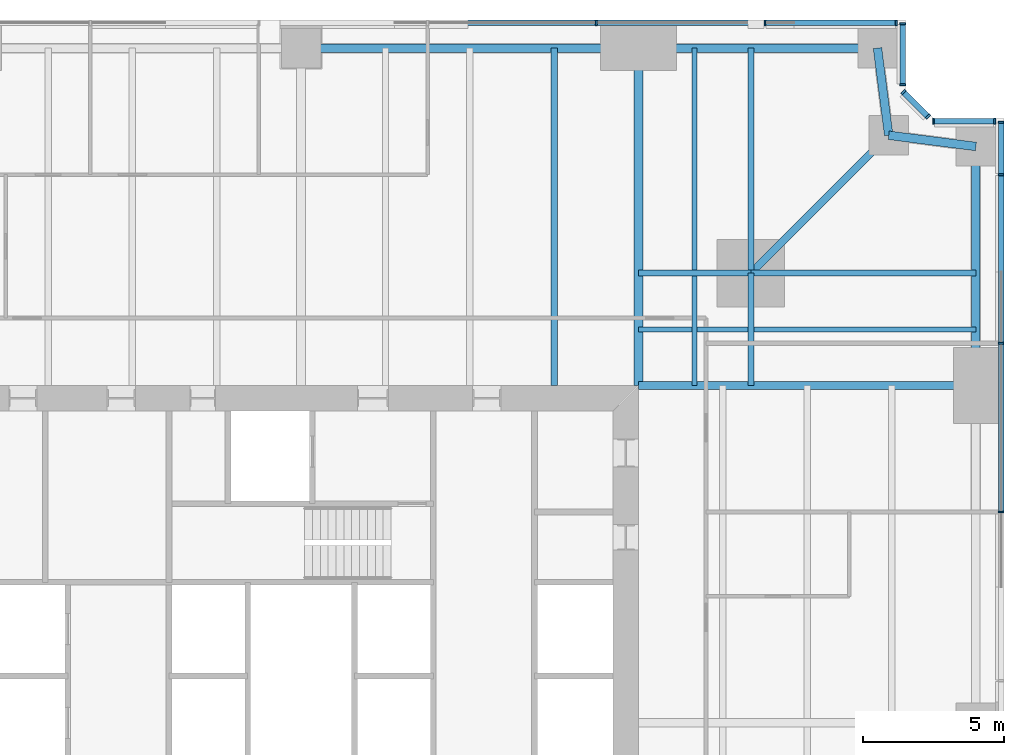
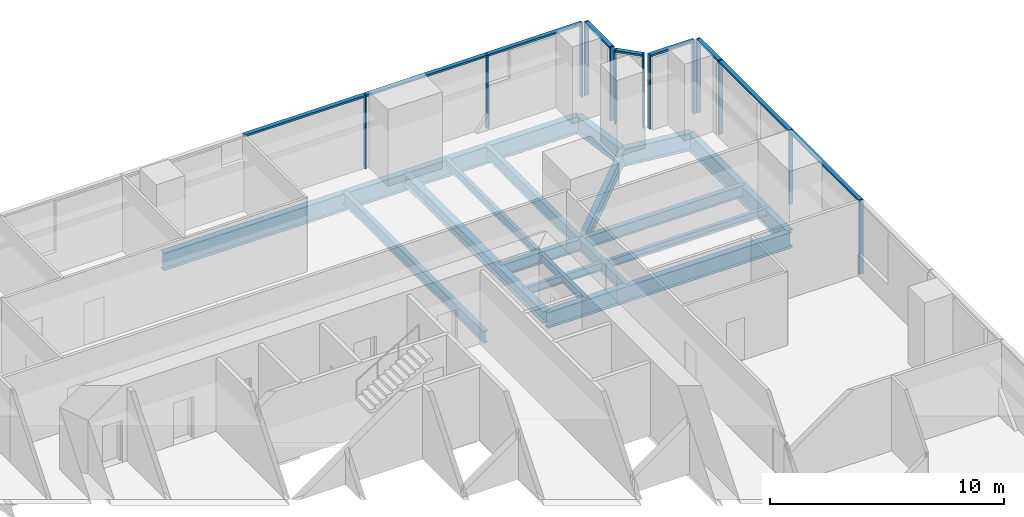
# One storey, part 7 of 13: 22 members, 18 beams, 5 elements without a shape of their own.
"""IFC4 building model written with IfcOpenShell, lengths in metres."""

from ifc_helpers import new_model, si_unit, direction, frame, origin, origin_2d, place, context, subcontext, project, spatial, rectangle, i_section, extrude, material, material_profile, profile_set, type_object, element, aggregate, save


model = new_model("IFC4")

# Units and contexts
model_context = context("Model", 3, precision=1e-05, world=origin(), true_north=direction((0.0, 1.0)))
body_context = subcontext(model_context, "Body", "Model", "MODEL_VIEW")
ifc_project = project(units=[si_unit("LENGTHUNIT", "METRE"), si_unit("AREAUNIT", "SQUARE_METRE"), si_unit("VOLUMEUNIT", "CUBIC_METRE"), si_unit("PLANEANGLEUNIT", "RADIAN"), si_unit("MASSUNIT", "GRAM", prefix="KILO")], contexts=[model_context])

# Site, building, storey
site_placement = place(None, origin())
site = spatial("IfcSite", under=ifc_project, at=site_placement, CompositionType="ELEMENT")
building_placement = place(site_placement, origin())
building = spatial("IfcBuilding", under=site, at=building_placement, Name="Fenwick Lantern Interchange", CompositionType="ELEMENT")
storey_placement = place(building_placement, frame((0.0, 0.0, 63.0)))
storey = spatial("IfcBuildingStorey", under=building, at=storey_placement, Name="L14", CompositionType="ELEMENT", Elevation=63.0)

# Beams
ifc_material_1 = material(Name="Steel ASTM A992 Grade 50", Category="steel")
ifc_material_profile_1 = material_profile(ifc_material_1, i_section(OverallWidth=0.3046875, OverallDepth=0.911865234375, WebThickness=0.015869140625, FlangeThickness=0.02392578125, at=origin_2d()), Name="W36X150")
ifc_profile_set_1 = profile_set([ifc_material_profile_1], Name="Steel ASTM A992 Grade 50")
beam_type_1 = type_object("IfcBeamType", Name="EDGE BEAM W36X150", PredefinedType="SPANDREL", material=ifc_profile_set_1)
beam_1_placement = place(storey_placement, frame((49.0, 37.0, -0.60595703125), z_axis=(0.0, 1.0, 0.0), x_axis=(-1.0, 0.0, 0.0)))
element("IfcBeam", 1, at=beam_1_placement, inside=storey, type_object=beam_type_1, Name="L14/FR/E/EB4", PredefinedType="SPANDREL", context=body_context, shape_type="SweptSolid", body=[
    extrude(i_section(OverallWidth=0.3046875, OverallDepth=0.911865234375, WebThickness=0.015869140625, FlangeThickness=0.02392578125, at=origin_2d()), origin(), (0.0, 0.0, 1.0), 8.5),
])
for number, where, z_axis, x_axis, name in (
    (2, (49.0, 45.5, -0.60595703125), (-0.991782342897, 0.127936641807, 0.0), (-0.127936641807, -0.991782342897, 0.0), "L14/FR/E/EBR1"),
    (3, (45.89990234375, 45.89990234375, -0.60595703125), (-0.127936641807, 0.991782342897, 0.0), (-0.991782342897, -0.127936641807, 0.0), "L14/FR/E/EBR2"),
):
    element("IfcBeam", number, at=place(storey_placement, frame(where, z_axis=z_axis, x_axis=x_axis)), inside=storey, type_object=beam_type_1, Name=name, PredefinedType="SPANDREL", context=body_context, shape_type="SweptSolid", body=[
        extrude(i_section(OverallWidth=0.3046875, OverallDepth=0.911865234375, WebThickness=0.015869140625, FlangeThickness=0.02392578125, at=origin_2d()), origin(), (0.0, 0.0, 1.0), 3.125732421875),
    ])
beam_2_placement = place(storey_placement, frame((45.5, 49.0, -0.60595703125), z_axis=(-1.0, 0.0, 0.0), x_axis=(0.0, -1.0, 0.0)))
element("IfcBeam", 4, at=beam_2_placement, inside=storey, type_object=beam_type_1, Name="L14/FR/N/EB1", PredefinedType="SPANDREL", context=body_context, shape_type="SweptSolid", body=[
    extrude(i_section(OverallWidth=0.3046875, OverallDepth=0.911865234375, WebThickness=0.015869140625, FlangeThickness=0.02392578125, at=origin_2d()), origin(), (0.0, 0.0, 1.0), 8.5),
])
beam_3_placement = place(storey_placement, frame((37.0, 49.0, -0.60595703125), z_axis=(-1.0, 0.0, 0.0), x_axis=(0.0, -1.0, 0.0)))
element("IfcBeam", 5, at=beam_3_placement, inside=storey, type_object=beam_type_1, Name="L14/FR/N/EB2", PredefinedType="SPANDREL", context=body_context, shape_type="SweptSolid", body=[
    extrude(i_section(OverallWidth=0.3046875, OverallDepth=0.911865234375, WebThickness=0.015869140625, FlangeThickness=0.02392578125, at=origin_2d()), origin(), (0.0, 0.0, 1.0), 12.0),
])
ifc_material_profile_2 = material_profile(ifc_material_1, i_section(OverallWidth=0.22900390625, OverallDepth=0.612060546875, WebThickness=0.011962890625, FlangeThickness=0.01953125, at=origin_2d()), Name="W24X84")
ifc_profile_set_2 = profile_set([ifc_material_profile_2], Name="Steel ASTM A992 Grade 50")
beam_type_2 = type_object("IfcBeamType", Name="FLOOR BEAM W24X84", PredefinedType="BEAM", material=ifc_profile_set_2)
beam_4_placement = place(storey_placement, frame((34.0, 49.0, -0.4560546875), z_axis=(0.0, -1.0, 0.0), x_axis=(1.0, 0.0, 0.0)))
element("IfcBeam", 6, at=beam_4_placement, inside=storey, type_object=beam_type_2, Name="L14/FR/N/R02", PredefinedType="BEAM", context=body_context, shape_type="SweptSolid", body=[
    extrude(i_section(OverallWidth=0.22900390625, OverallDepth=0.612060546875, WebThickness=0.011962890625, FlangeThickness=0.01953125, at=origin_2d()), origin(), (0.0, 0.0, 1.0), 12.0),
])
ifc_material_profile_3 = material_profile(ifc_material_1, i_section(OverallWidth=0.177734375, OverallDepth=0.406494140625, WebThickness=0.0078125, FlangeThickness=0.012939453125, at=origin_2d()), Name="W16X40")
ifc_profile_set_3 = profile_set([ifc_material_profile_3], Name="Steel ASTM A992 Grade 50")
beam_type_3 = type_object("IfcBeamType", Name="INFILL BEAM W16X40", PredefinedType="JOIST", material=ifc_profile_set_3)
beam_5_placement = place(storey_placement, frame((39.0, 49.0, -0.353271484375), z_axis=(0.0, -1.0, 0.0), x_axis=(1.0, 0.0, 0.0)))
element("IfcBeam", 7, at=beam_5_placement, inside=storey, type_object=beam_type_3, Name="L14/FR/N/J1", PredefinedType="JOIST", context=body_context, shape_type="SweptSolid", body=[
    extrude(i_section(OverallWidth=0.177734375, OverallDepth=0.406494140625, WebThickness=0.0078125, FlangeThickness=0.012939453125, at=origin_2d()), origin(), (0.0, 0.0, 1.0), 7.885498046875),
])
beam_6_placement = place(storey_placement, frame((39.0, 40.885498046875, -0.353271484375), z_axis=(0.0, -1.0, 0.0), x_axis=(1.0, 0.0, 0.0)))
element("IfcBeam", 8, at=beam_6_placement, inside=storey, type_object=beam_type_3, Name="L14/FR/N/J2", PredefinedType="JOIST", context=body_context, shape_type="SweptSolid", body=[
    extrude(i_section(OverallWidth=0.177734375, OverallDepth=0.406494140625, WebThickness=0.0078125, FlangeThickness=0.012939453125, at=origin_2d()), origin(), (0.0, 0.0, 1.0), 3.885498046875),
])
beam_7_placement = place(storey_placement, frame((49.0, 39.0, -0.353271484375), z_axis=(-1.0, 0.0, 0.0), x_axis=(0.0, -1.0, 0.0)))
element("IfcBeam", 9, at=beam_7_placement, inside=storey, type_object=beam_type_3, Name="L14/FR/N/J3", PredefinedType="JOIST", context=body_context, shape_type="SweptSolid", body=[
    extrude(i_section(OverallWidth=0.177734375, OverallDepth=0.406494140625, WebThickness=0.0078125, FlangeThickness=0.012939453125, at=origin_2d()), origin(), (0.0, 0.0, 1.0), 7.885498046875),
])
beam_8_placement = place(storey_placement, frame((40.885498046875, 39.0, -0.353271484375), z_axis=(-1.0, 0.0, 0.0), x_axis=(0.0, -1.0, 0.0)))
element("IfcBeam", 10, at=beam_8_placement, inside=storey, type_object=beam_type_3, Name="L14/FR/N/J4", PredefinedType="JOIST", context=body_context, shape_type="SweptSolid", body=[
    extrude(i_section(OverallWidth=0.177734375, OverallDepth=0.406494140625, WebThickness=0.0078125, FlangeThickness=0.012939453125, at=origin_2d()), origin(), (0.0, 0.0, 1.0), 1.796630859375),
])
beam_9_placement = place(storey_placement, frame((38.9111328125, 39.0, -0.353271484375), z_axis=(-1.0, 0.0, 0.0), x_axis=(0.0, -1.0, 0.0)))
element("IfcBeam", 11, at=beam_9_placement, inside=storey, type_object=beam_type_3, Name="L14/FR/N/J5", PredefinedType="JOIST", context=body_context, shape_type="SweptSolid", body=[
    extrude(i_section(OverallWidth=0.177734375, OverallDepth=0.406494140625, WebThickness=0.0078125, FlangeThickness=0.012939453125, at=origin_2d()), origin(), (0.0, 0.0, 1.0), 1.9111328125),
])
ifc_material_profile_4 = material_profile(ifc_material_1, i_section(OverallWidth=0.22900390625, OverallDepth=0.612060546875, WebThickness=0.011962890625, FlangeThickness=0.01953125, at=origin_2d()), Name="W24X84")
ifc_profile_set_4 = profile_set([ifc_material_profile_4], Name="Steel ASTM A992 Grade 50")
beam_type_4 = type_object("IfcBeamType", Name="MEGA COLUMN BEAM W24X84", PredefinedType="BEAM", material=ifc_profile_set_4)
for number, where, z_axis, x_axis, name in (
    (12, (41.0, 41.0, -0.4560546875), (0.0, 1.0, 0.0), (-1.0, 0.0, 0.0), "L14/FR/N/MB1"),
    (13, (41.0, 41.0, -0.4560546875), (1.0, 0.0, 0.0), (0.0, 1.0, 0.0), "L14/FR/N/MB2"),
):
    element("IfcBeam", number, at=place(storey_placement, frame(where, z_axis=z_axis, x_axis=x_axis)), inside=storey, type_object=beam_type_4, Name=name, PredefinedType="BEAM", context=body_context, shape_type="SweptSolid", body=[
        extrude(i_section(OverallWidth=0.22900390625, OverallDepth=0.612060546875, WebThickness=0.011962890625, FlangeThickness=0.01953125, at=origin_2d()), origin(), (0.0, 0.0, 1.0), 8.0),
    ])
for number, where, z_axis, x_axis, name in (
    (14, (41.0, 41.0, -0.4560546875), (-1.0, 0.0, 0.0), (0.0, -1.0, 0.0), "L14/FR/N/MB3"),
    (15, (41.0, 41.0, -0.4560546875), (0.0, -1.0, 0.0), (1.0, 0.0, 0.0), "L14/FR/N/MB4"),
):
    element("IfcBeam", number, at=place(storey_placement, frame(where, z_axis=z_axis, x_axis=x_axis)), inside=storey, type_object=beam_type_4, Name=name, PredefinedType="BEAM", context=body_context, shape_type="SweptSolid", body=[
        extrude(i_section(OverallWidth=0.22900390625, OverallDepth=0.612060546875, WebThickness=0.011962890625, FlangeThickness=0.01953125, at=origin_2d()), origin(), (0.0, 0.0, 1.0), 4.0),
    ])
ifc_material_profile_5 = material_profile(ifc_material_1, i_section(OverallWidth=0.32763671875, OverallDepth=0.622314453125, WebThickness=0.015380859375, FlangeThickness=0.0244140625, at=origin_2d()), Name="W24X131")
ifc_profile_set_5 = profile_set([ifc_material_profile_5], Name="Steel ASTM A992 Grade 50")
beam_type_5 = type_object("IfcBeamType", Name="MOMENT-CONNECTED GIRDER W24X131", PredefinedType="BEAM", material=ifc_profile_set_5)
beam_10_placement = place(storey_placement, frame((37.0, 49.0, -0.461181640625), z_axis=(0.0, -1.0, 0.0), x_axis=(1.0, 0.0, 0.0)))
element("IfcBeam", 16, at=beam_10_placement, inside=storey, type_object=beam_type_5, Name="L14/FR/N/R01", PredefinedType="BEAM", context=body_context, shape_type="SweptSolid", body=[
    extrude(i_section(OverallWidth=0.32763671875, OverallDepth=0.622314453125, WebThickness=0.015380859375, FlangeThickness=0.0244140625, at=origin_2d()), origin(), (0.0, 0.0, 1.0), 12.0),
])
ifc_material_profile_6 = material_profile(ifc_material_1, i_section(OverallWidth=0.2919921875, OverallDepth=0.845703125, WebThickness=0.015380859375, FlangeThickness=0.0244140625, at=origin_2d()), Name="W33X141")
ifc_profile_set_6 = profile_set([ifc_material_profile_6], Name="Steel ASTM A992 Grade 50")
beam_type_6 = type_object("IfcBeamType", Name="MOMENT-CONNECTED GIRDER W33X141", PredefinedType="BEAM", material=ifc_profile_set_6)
beam_11_placement = place(storey_placement, frame((49.0, 37.0, -0.572998046875), z_axis=(-1.0, 0.0, 0.0), x_axis=(0.0, -1.0, 0.0)))
element("IfcBeam", 17, at=beam_11_placement, inside=storey, type_object=beam_type_6, Name="L14/FR/E/R03", PredefinedType="BEAM", context=body_context, shape_type="SweptSolid", body=[
    extrude(i_section(OverallWidth=0.2919921875, OverallDepth=0.845703125, WebThickness=0.015380859375, FlangeThickness=0.0244140625, at=origin_2d()), origin(), (0.0, 0.0, 1.0), 12.0),
])
ifc_material_profile_7 = material_profile(ifc_material_1, i_section(OverallWidth=0.2666015625, OverallDepth=0.7568359375, WebThickness=0.013916015625, FlangeThickness=0.019287109375, at=origin_2d()), Name="W30X108")
ifc_profile_set_7 = profile_set([ifc_material_profile_7], Name="Steel ASTM A992 Grade 50")
beam_type_7 = type_object("IfcBeamType", Name="NOTCH BEAM W30X108", PredefinedType="BEAM", material=ifc_profile_set_7)
beam_12_placement = place(storey_placement, frame((41.0, 41.0, -0.528564453125), z_axis=(0.707106781187, 0.707106781187, 0.0), x_axis=(-0.707106781187, 0.707106781187, 0.0)))
element("IfcBeam", 18, at=beam_12_placement, inside=storey, type_object=beam_type_7, Name="L14/FR/N/TG", PredefinedType="BEAM", context=body_context, shape_type="SweptSolid", body=[
    extrude(i_section(OverallWidth=0.2666015625, OverallDepth=0.7568359375, WebThickness=0.013916015625, FlangeThickness=0.019287109375, at=origin_2d()), origin(), (0.0, 0.0, 1.0), 6.929443359375),
])

# Curtain wall, members
ifc_material_2 = material(Name="Aluminium curtain wall frame", Category="aluminium")
curtain_wall_type = type_object("IfcCurtainWallType", Name="OFFICE CURTAIN WALL", PredefinedType="USERDEFINED", material=ifc_material_2)
curtain_wall_1_placement = place(storey_placement, origin())
curtain_wall_1 = element("IfcCurtainWall", 19, at=curtain_wall_1_placement, inside=storey, type_object=curtain_wall_type, Name="Office curtain wall 05", ObjectType="OFFICE CURTAIN WALL", PredefinedType="USERDEFINED")
ifc_material_3 = material(Name="Aluminium extrusion", Category="aluminium")
ifc_material_profile_8 = material_profile(ifc_material_3, rectangle(XDim=0.199951171875, YDim=0.06494140625, at=origin_2d()), Name="OFFICE CURTAIN WALL MULLION 65 X 200")
ifc_profile_set_8 = profile_set([ifc_material_profile_8], Name="Aluminium extrusion")
member_type_1 = type_object("IfcMemberType", Name="OFFICE CURTAIN WALL MULLION 65 X 200", PredefinedType="MULLION", material=ifc_profile_set_8)
member_1_placement = place(storey_placement, frame((49.89990234375, 32.5, 0.0), z_axis=(0.0, 0.0, 1.0), x_axis=(-1.0, 0.0, 0.0)))
member_1 = element("IfcMember", 20, at=member_1_placement, type_object=member_type_1, Name="L14/CW/05/M05", PredefinedType="MULLION", context=body_context, shape_type="SweptSolid", body=[
    extrude(rectangle(XDim=0.199951171875, YDim=0.06494140625, at=origin_2d()), origin(), (0.0, 0.0, 1.0), 3.85009765625),
])
member_2_placement = place(storey_placement, frame((49.89990234375, 38.5, 0.0), z_axis=(0.0, 0.0, 1.0), x_axis=(-1.0, 0.0, 0.0)))
member_2 = element("IfcMember", 21, at=member_2_placement, type_object=member_type_1, Name="L14/CW/05/M06", PredefinedType="MULLION", context=body_context, shape_type="SweptSolid", body=[
    extrude(rectangle(XDim=0.199951171875, YDim=0.06494140625, at=origin_2d()), origin(), (0.0, 0.0, 1.0), 3.85009765625),
])
member_3_placement = place(storey_placement, frame((49.89990234375, 44.5, 0.0), z_axis=(0.0, 0.0, 1.0), x_axis=(-1.0, 0.0, 0.0)))
member_3 = element("IfcMember", 22, at=member_3_placement, type_object=member_type_1, Name="L14/CW/05/M07", PredefinedType="MULLION", context=body_context, shape_type="SweptSolid", body=[
    extrude(rectangle(XDim=0.199951171875, YDim=0.06494140625, at=origin_2d()), origin(), (0.0, 0.0, 1.0), 3.85009765625),
])
member_4_placement = place(storey_placement, frame((49.89990234375, 46.367431640625, 0.0), z_axis=(0.0, 0.0, 1.0), x_axis=(-1.0, 0.0, 0.0)))
member_4 = element("IfcMember", 23, at=member_4_placement, type_object=member_type_1, Name="L14/CW/05/M08", PredefinedType="MULLION", context=body_context, shape_type="SweptSolid", body=[
    extrude(rectangle(XDim=0.199951171875, YDim=0.06494140625, at=origin_2d()), origin(), (0.0, 0.0, 1.0), 3.85009765625),
])

curtain_wall_2_placement = place(storey_placement, origin())
curtain_wall_2 = element("IfcCurtainWall", 24, at=curtain_wall_2_placement, inside=storey, type_object=curtain_wall_type, Name="Office curtain wall 06", ObjectType="OFFICE CURTAIN WALL", PredefinedType="USERDEFINED")
member_5_placement = place(storey_placement, frame((49.66748046875, 46.39990234375, 0.0), z_axis=(0.0, 0.0, 1.0), x_axis=(0.0, -1.0, 0.0)))
member_5 = element("IfcMember", 25, at=member_5_placement, type_object=member_type_1, Name="L14/CW/06/M00", PredefinedType="MULLION", context=body_context, shape_type="SweptSolid", body=[
    extrude(rectangle(XDim=0.199951171875, YDim=0.06494140625, at=origin_2d()), origin(), (0.0, 0.0, 1.0), 3.85009765625),
])
member_6_placement = place(storey_placement, frame((47.490966796875, 46.39990234375, 0.0), z_axis=(0.0, 0.0, 1.0), x_axis=(0.0, -1.0, 0.0)))
member_6 = element("IfcMember", 26, at=member_6_placement, type_object=member_type_1, Name="L14/CW/06/M01", PredefinedType="MULLION", context=body_context, shape_type="SweptSolid", body=[
    extrude(rectangle(XDim=0.199951171875, YDim=0.06494140625, at=origin_2d()), origin(), (0.0, 0.0, 1.0), 3.85009765625),
])

curtain_wall_3_placement = place(storey_placement, origin())
curtain_wall_3 = element("IfcCurtainWall", 27, at=curtain_wall_3_placement, inside=storey, type_object=curtain_wall_type, Name="Office curtain wall 07", ObjectType="OFFICE CURTAIN WALL", PredefinedType="USERDEFINED")
member_7_placement = place(storey_placement, frame((47.294189453125, 46.564453125, 0.0), z_axis=(0.0, 0.0, 1.0), x_axis=(-0.707106781187, -0.707106781187, 0.0)))
member_7 = element("IfcMember", 28, at=member_7_placement, type_object=member_type_1, Name="L14/CW/07/M00", PredefinedType="MULLION", context=body_context, shape_type="SweptSolid", body=[
    extrude(rectangle(XDim=0.199951171875, YDim=0.06494140625, at=origin_2d()), origin(), (0.0, 0.0, 1.0), 3.85009765625),
])
member_8_placement = place(storey_placement, frame((46.423095703125, 47.435546875, 0.0), z_axis=(0.0, 0.0, 1.0), x_axis=(-0.707106781187, -0.707106781187, 0.0)))
member_8 = element("IfcMember", 29, at=member_8_placement, type_object=member_type_1, Name="L14/CW/07/M01", PredefinedType="MULLION", context=body_context, shape_type="SweptSolid", body=[
    extrude(rectangle(XDim=0.199951171875, YDim=0.06494140625, at=origin_2d()), origin(), (0.0, 0.0, 1.0), 3.85009765625),
])

curtain_wall_4_placement = place(storey_placement, origin())
curtain_wall_4 = element("IfcCurtainWall", 30, at=curtain_wall_4_placement, inside=storey, type_object=curtain_wall_type, Name="Office curtain wall 08", ObjectType="OFFICE CURTAIN WALL", PredefinedType="USERDEFINED")
member_9_placement = place(storey_placement, frame((46.39990234375, 47.691162109375, 0.0), z_axis=(0.0, 0.0, 1.0), x_axis=(-1.0, 0.0, 0.0)))
member_9 = element("IfcMember", 31, at=member_9_placement, type_object=member_type_1, Name="L14/CW/08/M00", PredefinedType="MULLION", context=body_context, shape_type="SweptSolid", body=[
    extrude(rectangle(XDim=0.199951171875, YDim=0.06494140625, at=origin_2d()), origin(), (0.0, 0.0, 1.0), 3.85009765625),
])
member_10_placement = place(storey_placement, frame((46.39990234375, 49.867431640625, 0.0), z_axis=(0.0, 0.0, 1.0), x_axis=(-1.0, 0.0, 0.0)))
member_10 = element("IfcMember", 32, at=member_10_placement, type_object=member_type_1, Name="L14/CW/08/M01", PredefinedType="MULLION", context=body_context, shape_type="SweptSolid", body=[
    extrude(rectangle(XDim=0.199951171875, YDim=0.06494140625, at=origin_2d()), origin(), (0.0, 0.0, 1.0), 3.85009765625),
])

curtain_wall_5_placement = place(storey_placement, origin())
curtain_wall_5 = element("IfcCurtainWall", 33, at=curtain_wall_5_placement, inside=storey, type_object=curtain_wall_type, Name="Office curtain wall 09", ObjectType="OFFICE CURTAIN WALL", PredefinedType="USERDEFINED")
member_11_placement = place(storey_placement, frame((46.16748046875, 49.89990234375, 0.0), z_axis=(0.0, 0.0, 1.0), x_axis=(0.0, -1.0, 0.0)))
member_11 = element("IfcMember", 34, at=member_11_placement, type_object=member_type_1, Name="L14/CW/09/M00", PredefinedType="MULLION", context=body_context, shape_type="SweptSolid", body=[
    extrude(rectangle(XDim=0.199951171875, YDim=0.06494140625, at=origin_2d()), origin(), (0.0, 0.0, 1.0), 3.85009765625),
])
member_12_placement = place(storey_placement, frame((41.5, 49.89990234375, 0.0), z_axis=(0.0, 0.0, 1.0), x_axis=(0.0, -1.0, 0.0)))
member_12 = element("IfcMember", 35, at=member_12_placement, type_object=member_type_1, Name="L14/CW/09/M01", PredefinedType="MULLION", context=body_context, shape_type="SweptSolid", body=[
    extrude(rectangle(XDim=0.199951171875, YDim=0.06494140625, at=origin_2d()), origin(), (0.0, 0.0, 1.0), 3.85009765625),
])
member_13_placement = place(storey_placement, frame((35.5, 49.89990234375, 0.0), z_axis=(0.0, 0.0, 1.0), x_axis=(0.0, -1.0, 0.0)))
member_13 = element("IfcMember", 36, at=member_13_placement, type_object=member_type_1, Name="L14/CW/09/M02", PredefinedType="MULLION", context=body_context, shape_type="SweptSolid", body=[
    extrude(rectangle(XDim=0.199951171875, YDim=0.06494140625, at=origin_2d()), origin(), (0.0, 0.0, 1.0), 3.85009765625),
])

# Member
ifc_material_profile_9 = material_profile(ifc_material_3, rectangle(XDim=0.199951171875, YDim=0.10009765625, at=origin_2d()), Name="OFFICE CURTAIN WALL TRANSOM 100 X 200")
ifc_profile_set_9 = profile_set([ifc_material_profile_9], Name="Aluminium extrusion")
member_type_2 = type_object("IfcMemberType", Name="OFFICE CURTAIN WALL TRANSOM 100 X 200", PredefinedType="MULLION", material=ifc_profile_set_9)
member_14_placement = place(storey_placement, frame((49.89990234375, 32.532470703125, 3.800048828125), z_axis=(0.0, 1.0, 0.0), x_axis=(-1.0, 0.0, 0.0)))
member_14 = element("IfcMember", 37, at=member_14_placement, type_object=member_type_2, Name="L14/CW/05/T05", PredefinedType="MULLION", context=body_context, shape_type="SweptSolid", body=[
    extrude(rectangle(XDim=0.199951171875, YDim=0.10009765625, at=origin_2d()), origin(), (0.0, 0.0, 1.0), 5.93505859375),
])

member_15_placement = place(storey_placement, frame((49.89990234375, 38.532470703125, 3.800048828125), z_axis=(0.0, 1.0, 0.0), x_axis=(-1.0, 0.0, 0.0)))
member_15 = element("IfcMember", 38, at=member_15_placement, type_object=member_type_2, Name="L14/CW/05/T06", PredefinedType="MULLION", context=body_context, shape_type="SweptSolid", body=[
    extrude(rectangle(XDim=0.199951171875, YDim=0.10009765625, at=origin_2d()), origin(), (0.0, 0.0, 1.0), 5.93505859375),
])

member_16_placement = place(storey_placement, frame((49.89990234375, 44.532470703125, 3.800048828125), z_axis=(0.0, 1.0, 0.0), x_axis=(-1.0, 0.0, 0.0)))
member_16 = element("IfcMember", 39, at=member_16_placement, type_object=member_type_2, Name="L14/CW/05/T07", PredefinedType="MULLION", context=body_context, shape_type="SweptSolid", body=[
    extrude(rectangle(XDim=0.199951171875, YDim=0.10009765625, at=origin_2d()), origin(), (0.0, 0.0, 1.0), 1.802490234375),
])

aggregate(curtain_wall_1, [member_1, member_2, member_3, member_4, member_14, member_15, member_16])

member_17_placement = place(storey_placement, frame((49.635009765625, 46.39990234375, 3.800048828125), z_axis=(-1.0, 0.0, 0.0), x_axis=(0.0, -1.0, 0.0)))
member_17 = element("IfcMember", 40, at=member_17_placement, type_object=member_type_2, Name="L14/CW/06/T00", PredefinedType="MULLION", context=body_context, shape_type="SweptSolid", body=[
    extrude(rectangle(XDim=0.199951171875, YDim=0.10009765625, at=origin_2d()), origin(), (0.0, 0.0, 1.0), 2.111328125),
])

aggregate(curtain_wall_2, [member_5, member_6, member_17])

member_18_placement = place(storey_placement, frame((47.271240234375, 46.58740234375, 3.800048828125), z_axis=(-0.707106781187, 0.707106781187, 0.0), x_axis=(-0.707106781187, -0.707106781187, 0.0)))
member_18 = element("IfcMember", 41, at=member_18_placement, type_object=member_type_2, Name="L14/CW/07/T00", PredefinedType="MULLION", context=body_context, shape_type="SweptSolid", body=[
    extrude(rectangle(XDim=0.199951171875, YDim=0.10009765625, at=origin_2d()), origin(), (0.0, 0.0, 1.0), 1.1669921875),
])

aggregate(curtain_wall_3, [member_7, member_8, member_18])

member_19_placement = place(storey_placement, frame((46.39990234375, 47.7236328125, 3.800048828125), z_axis=(0.0, 1.0, 0.0), x_axis=(-1.0, 0.0, 0.0)))
member_19 = element("IfcMember", 42, at=member_19_placement, type_object=member_type_2, Name="L14/CW/08/T00", PredefinedType="MULLION", context=body_context, shape_type="SweptSolid", body=[
    extrude(rectangle(XDim=0.199951171875, YDim=0.10009765625, at=origin_2d()), origin(), (0.0, 0.0, 1.0), 2.111328125),
])

aggregate(curtain_wall_4, [member_9, member_10, member_19])

member_20_placement = place(storey_placement, frame((46.135009765625, 49.89990234375, 3.800048828125), z_axis=(-1.0, 0.0, 0.0), x_axis=(0.0, -1.0, 0.0)))
member_20 = element("IfcMember", 43, at=member_20_placement, type_object=member_type_2, Name="L14/CW/09/T00", PredefinedType="MULLION", context=body_context, shape_type="SweptSolid", body=[
    extrude(rectangle(XDim=0.199951171875, YDim=0.10009765625, at=origin_2d()), origin(), (0.0, 0.0, 1.0), 4.6025390625),
])

member_21_placement = place(storey_placement, frame((41.467529296875, 49.89990234375, 3.800048828125), z_axis=(-1.0, 0.0, 0.0), x_axis=(0.0, -1.0, 0.0)))
member_21 = element("IfcMember", 44, at=member_21_placement, type_object=member_type_2, Name="L14/CW/09/T01", PredefinedType="MULLION", context=body_context, shape_type="SweptSolid", body=[
    extrude(rectangle(XDim=0.199951171875, YDim=0.10009765625, at=origin_2d()), origin(), (0.0, 0.0, 1.0), 5.93505859375),
])

member_22_placement = place(storey_placement, frame((35.467529296875, 49.89990234375, 3.800048828125), z_axis=(-1.0, 0.0, 0.0), x_axis=(0.0, -1.0, 0.0)))
member_22 = element("IfcMember", 45, at=member_22_placement, type_object=member_type_2, Name="L14/CW/09/T02", PredefinedType="MULLION", context=body_context, shape_type="SweptSolid", body=[
    extrude(rectangle(XDim=0.199951171875, YDim=0.10009765625, at=origin_2d()), origin(), (0.0, 0.0, 1.0), 5.93505859375),
])

aggregate(curtain_wall_5, [member_11, member_12, member_13, member_20, member_21, member_22])

save(model, "model.ifc")
